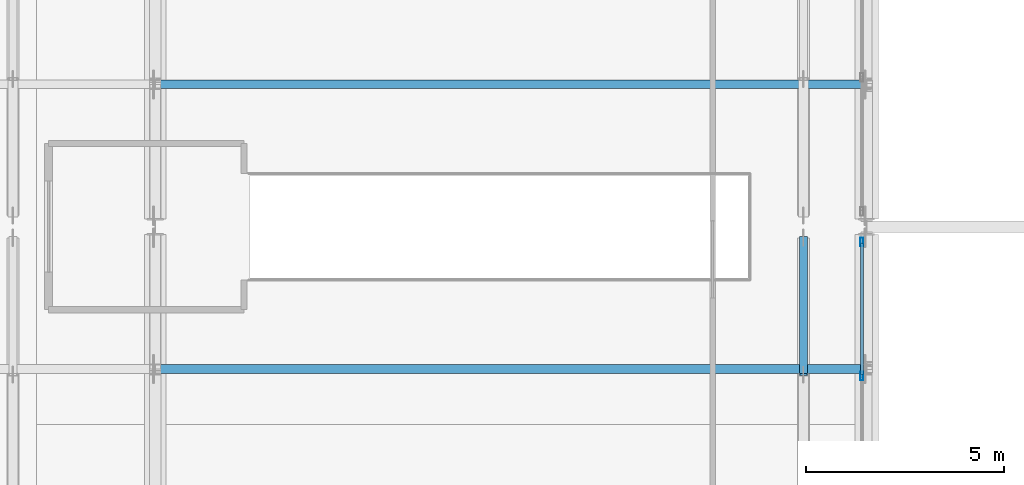
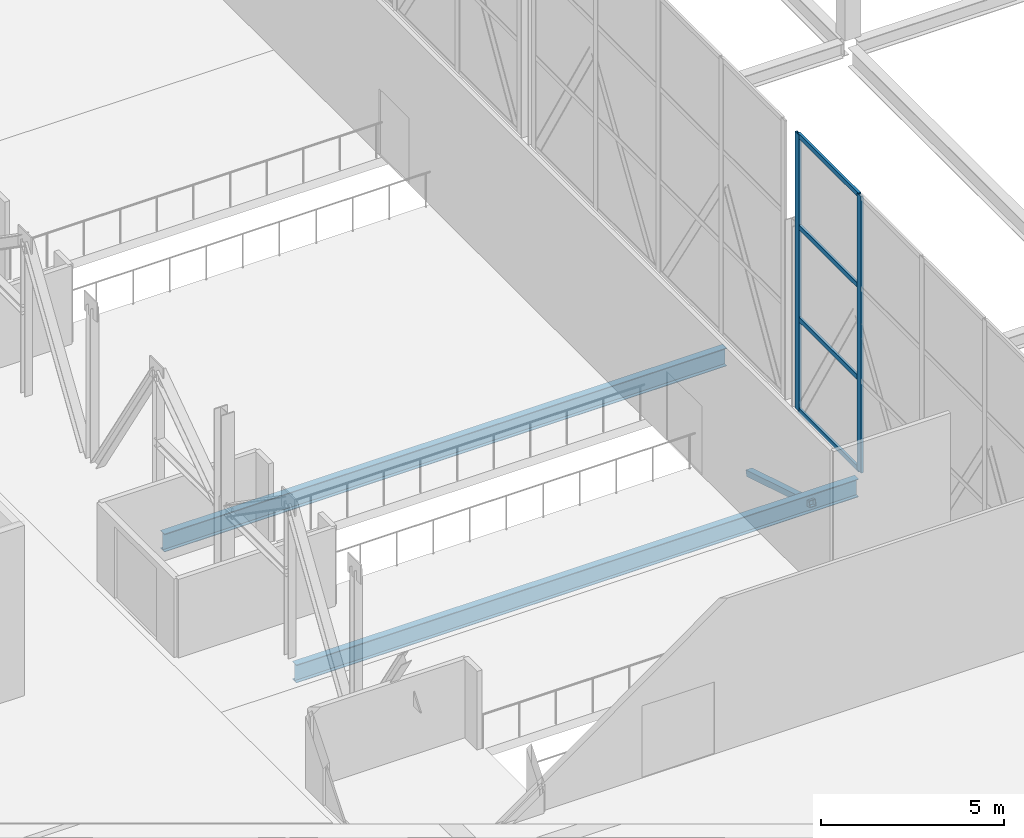
# One storey, part 59 of 191: 7 members, 2 beams, 1 element without a shape of its own.
"""IFC4 building model written with IfcOpenShell, lengths in metres."""

from ifc_helpers import new_model, si_unit, direction, frame, origin, origin_2d, place, context, subcontext, project, spatial, hollow_rectangle, i_section, extrude, material, layer, layer_set, material_profile, profile_set, type_object, element, aggregate, save


model = new_model("IFC4")

# Units and contexts
model_context = context("Model", 3, precision=1e-05, world=origin(), true_north=direction((0.0, 1.0)))
body_context = subcontext(model_context, "Body", "Model", "MODEL_VIEW")
ifc_project = project(units=[si_unit("LENGTHUNIT", "METRE"), si_unit("AREAUNIT", "SQUARE_METRE"), si_unit("VOLUMEUNIT", "CUBIC_METRE"), si_unit("PLANEANGLEUNIT", "RADIAN"), si_unit("MASSUNIT", "GRAM", prefix="KILO")], contexts=[model_context])

# Site, building, storey
site_placement = place(None, origin())
site = spatial("IfcSite", under=ifc_project, at=site_placement, CompositionType="ELEMENT")
building_placement = place(site_placement, origin())
building = spatial("IfcBuilding", under=site, at=building_placement, Name="Tamarisk Ironworks Central Station", CompositionType="ELEMENT")
storey_placement = place(building_placement, frame((0.0, 0.0, 6.60009765625)))
storey = spatial("IfcBuildingStorey", under=building, at=storey_placement, Name="L01", CompositionType="ELEMENT", Elevation=6.60009765625)

# Beams
ifc_material_1 = material(Name="Structural steel S355J2", Category="steel")
ifc_material_profile_1 = material_profile(ifc_material_1, i_section(OverallWidth=0.219970703125, OverallDepth=0.60009765625, WebThickness=0.011962890625, FlangeThickness=0.01904296875, at=origin_2d()), Name="IPE 600")
ifc_profile_set_1 = profile_set([ifc_material_profile_1], Name="Structural steel S355J2")
beam_type = type_object("IfcBeamType", Name="BM-B01", PredefinedType="BEAM", material=ifc_profile_set_1)
for number, where, z_axis, x_axis, name in (
    (1, (90.135009765625, 32.39990234375, -0.60009765625), (1.0, 0.0, 0.0), (0.0, 1.0, 0.0), "L01 secondary composite beam 0034"),
    (2, (90.135009765625, 39.60009765625, -0.60009765625), (1.0, 0.0, 0.0), (0.0, 1.0, 0.0), "L01 secondary composite beam 0035"),
):
    element("IfcBeam", number, at=place(storey_placement, frame(where, z_axis=z_axis, x_axis=x_axis)), inside=storey, type_object=beam_type, Name=name, PredefinedType="BEAM", context=body_context, shape_type="SweptSolid", body=[
        extrude(i_section(OverallWidth=0.219970703125, OverallDepth=0.60009765625, WebThickness=0.011962890625, FlangeThickness=0.01904296875, at=origin_2d()), origin(), (0.0, 0.0, 1.0), 17.72998046875),
    ])

# Curtain wall, members
ifc_material_2 = material(Name="Anodized aluminium alloy 6063-T6", Category="aluminium")
ifc_layer = layer(ifc_material_2, 0.179931640625)
ifc_layer_set = layer_set([ifc_layer], Name="Anodized aluminium alloy 6063-T6")
curtain_wall_type = type_object("IfcCurtainWallType", Name="CW-06", PredefinedType="USERDEFINED", material=ifc_layer_set)
curtain_wall_placement = place(storey_placement, origin())
curtain_wall = element("IfcCurtainWall", 3, at=curtain_wall_placement, inside=storey, type_object=curtain_wall_type, Name="Concourse E track-overlook curtain wall 02", ObjectType="GLAZED CURTAIN WALL", PredefinedType="USERDEFINED")
ifc_material_profile_2 = material_profile(ifc_material_2, hollow_rectangle(XDim=0.074951171875, YDim=0.219970703125, WallThickness=0.00390625, at=origin_2d()), Name="ALUM 220x75")
ifc_profile_set_2 = profile_set([ifc_material_profile_2], Name="Anodized aluminium alloy 6063-T6")
member_type_1 = type_object("IfcMemberType", Name="CWM-01", PredefinedType="MULLION", material=ifc_profile_set_2)
member_1_placement = place(storey_placement, frame((107.8798828125, 32.22509765625, 0.0), z_axis=(0.0, 0.0, 1.0), x_axis=(-1.0, 0.0, 0.0)))
member_1 = element("IfcMember", 4, at=member_1_placement, type_object=member_type_1, Name="CW06 mullion 4", PredefinedType="MULLION", context=body_context, shape_type="SweptSolid", body=[
    extrude(hollow_rectangle(XDim=0.074951171875, YDim=0.219970703125, WallThickness=0.00390625, at=origin_2d()), origin(), (0.0, 0.0, 1.0), 9.219970703125),
])
member_2_placement = place(storey_placement, frame((107.8798828125, 35.612548828125, 0.0), z_axis=(0.0, 0.0, 1.0), x_axis=(-1.0, 0.0, 0.0)))
member_2 = element("IfcMember", 5, at=member_2_placement, type_object=member_type_1, Name="CW06 mullion 5", PredefinedType="MULLION", context=body_context, shape_type="SweptSolid", body=[
    extrude(hollow_rectangle(XDim=0.074951171875, YDim=0.219970703125, WallThickness=0.00390625, at=origin_2d()), origin(), (0.0, 0.0, 1.0), 9.219970703125),
])
ifc_material_profile_3 = material_profile(ifc_material_2, hollow_rectangle(XDim=0.074951171875, YDim=0.159912109375, WallThickness=0.00390625, at=origin_2d()), Name="ALUM 160x75")
ifc_profile_set_3 = profile_set([ifc_material_profile_3], Name="Anodized aluminium alloy 6063-T6")
member_type_2 = type_object("IfcMemberType", Name="CWT-01", PredefinedType="USERDEFINED", material=ifc_profile_set_3)
member_3_placement = place(storey_placement, frame((107.8798828125, 32.258544921875, 0.037353515625), z_axis=(0.0, 1.0, 0.0), x_axis=(-1.0, 0.0, 0.0)))
member_3 = element("IfcMember", 6, at=member_3_placement, type_object=member_type_2, Name="CW06 transom 4.1", ObjectType="TRANSOM", PredefinedType="USERDEFINED", context=body_context, shape_type="SweptSolid", body=[
    extrude(hollow_rectangle(XDim=0.074951171875, YDim=0.159912109375, WallThickness=0.00390625, at=origin_2d()), origin(), (0.0, 0.0, 1.0), 3.320556640625),
])
member_4_placement = place(storey_placement, frame((107.8798828125, 32.258544921875, 3.0732421875), z_axis=(0.0, 1.0, 0.0), x_axis=(-1.0, 0.0, 0.0)))
member_4 = element("IfcMember", 7, at=member_4_placement, type_object=member_type_2, Name="CW06 transom 4.2", ObjectType="TRANSOM", PredefinedType="USERDEFINED", context=body_context, shape_type="SweptSolid", body=[
    extrude(hollow_rectangle(XDim=0.074951171875, YDim=0.159912109375, WallThickness=0.00390625, at=origin_2d()), origin(), (0.0, 0.0, 1.0), 3.320556640625),
])
member_5_placement = place(storey_placement, frame((107.8798828125, 32.258544921875, 6.146484375), z_axis=(0.0, 1.0, 0.0), x_axis=(-1.0, 0.0, 0.0)))
member_5 = element("IfcMember", 8, at=member_5_placement, type_object=member_type_2, Name="CW06 transom 4.3", ObjectType="TRANSOM", PredefinedType="USERDEFINED", context=body_context, shape_type="SweptSolid", body=[
    extrude(hollow_rectangle(XDim=0.074951171875, YDim=0.159912109375, WallThickness=0.00390625, at=origin_2d()), origin(), (0.0, 0.0, 1.0), 3.320556640625),
])
member_6_placement = place(storey_placement, frame((107.8798828125, 32.258544921875, 9.182373046875), z_axis=(0.0, 1.0, 0.0), x_axis=(-1.0, 0.0, 0.0)))
member_6 = element("IfcMember", 9, at=member_6_placement, type_object=member_type_2, Name="CW06 transom 4.4", ObjectType="TRANSOM", PredefinedType="USERDEFINED", context=body_context, shape_type="SweptSolid", body=[
    extrude(hollow_rectangle(XDim=0.074951171875, YDim=0.159912109375, WallThickness=0.00390625, at=origin_2d()), origin(), (0.0, 0.0, 1.0), 3.320556640625),
])
aggregate(curtain_wall, [member_1, member_2, member_3, member_4, member_5, member_6])

# Member
ifc_material_3 = material(Name="Structural steel S355J2H", Category="steel")
ifc_material_profile_4 = material_profile(ifc_material_3, hollow_rectangle(XDim=0.199951171875, YDim=0.199951171875, WallThickness=0.010009765625, at=origin_2d()), Name="SHS 200x200x10")
ifc_profile_set_4 = profile_set([ifc_material_profile_4], Name="Structural steel S355J2H")
member_type_3 = type_object("IfcMemberType", Name="MB-BR02", PredefinedType="BRACE", material=ifc_profile_set_4)
member_7_placement = place(storey_placement, frame((106.39990234375, 32.260009765625, -0.580078125), z_axis=(0.0, 0.956131332595, -0.292938346467), x_axis=(-1.0, 0.0, 0.0)))
element("IfcMember", 10, at=member_7_placement, inside=storey, type_object=member_type_3, Name="Bridge deck stiffening web brace 190", PredefinedType="BRACE", context=body_context, shape_type="SweptSolid", body=[
    extrude(hollow_rectangle(XDim=0.199951171875, YDim=0.199951171875, WallThickness=0.010009765625, at=origin_2d()), origin(), (0.0, 0.0, 1.0), 3.61865234375),
])

save(model, "model.ifc")
